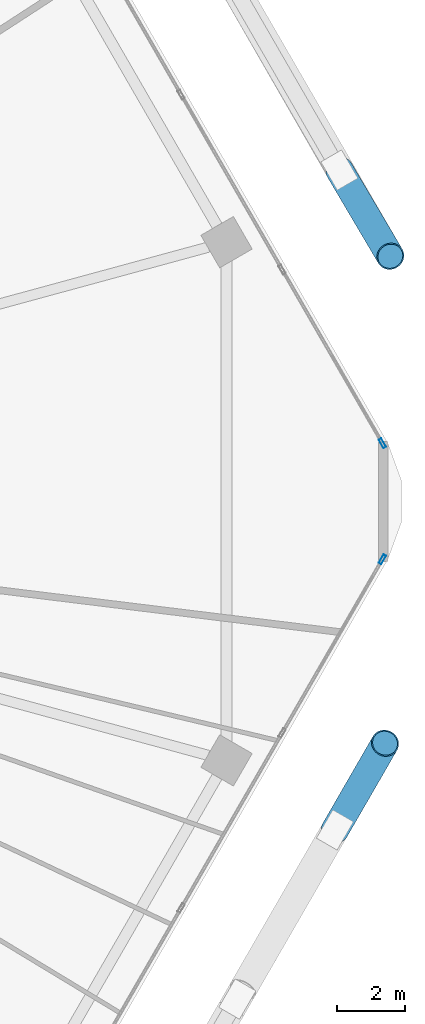
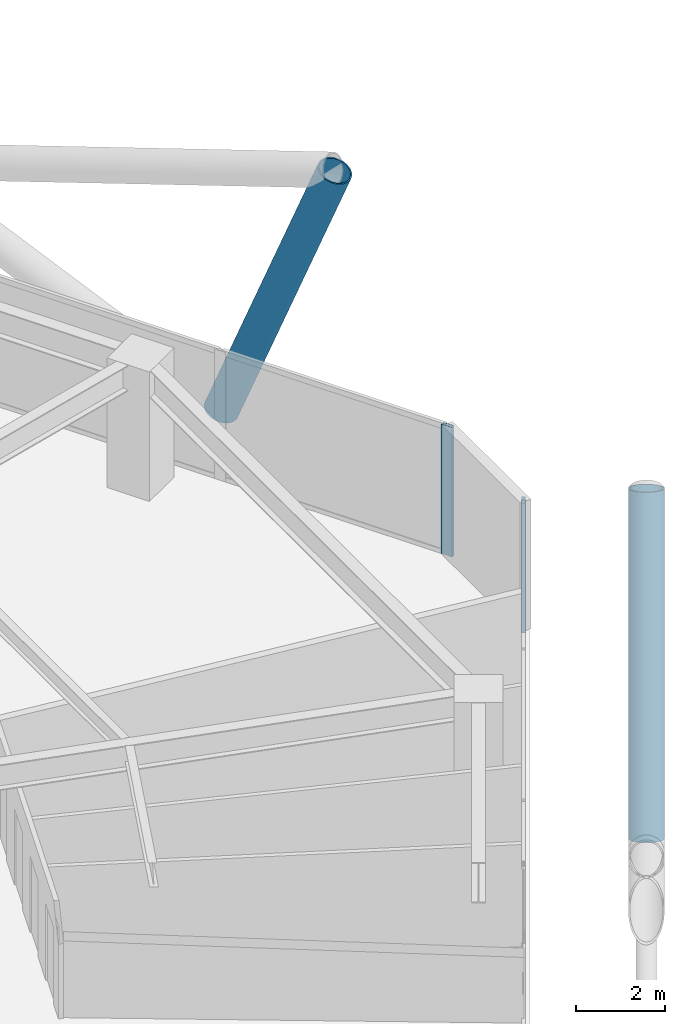
# One storey, part 25 of 35: 4 members, 2 elements without a shape of their own.
"""IFC4 building model written with IfcOpenShell, lengths in metres."""

from ifc_helpers import new_model, si_unit, direction, frame, origin, origin_2d, place, context, subcontext, project, spatial, hollow_rectangle, hollow_circle, extrude, material, material_profile, profile_set, type_object, element, aggregate, save


model = new_model("IFC4")

# Units and contexts
model_context = context("Model", 3, precision=1e-05, world=origin(), true_north=direction((0.0, 1.0)))
body_context = subcontext(model_context, "Body", "Model", "MODEL_VIEW")
ifc_project = project(units=[si_unit("LENGTHUNIT", "METRE"), si_unit("AREAUNIT", "SQUARE_METRE"), si_unit("VOLUMEUNIT", "CUBIC_METRE"), si_unit("PLANEANGLEUNIT", "RADIAN"), si_unit("MASSUNIT", "GRAM", prefix="KILO")], contexts=[model_context])

# Site, building, storey
site_placement = place(None, origin())
site = spatial("IfcSite", under=ifc_project, at=site_placement, CompositionType="ELEMENT")
building_placement = place(site_placement, origin())
building = spatial("IfcBuilding", under=site, at=building_placement, Name="Zuhravey Tower", CompositionType="ELEMENT")
storey_placement = place(building_placement, frame((0.0, 0.0, 115.199951171875)))
storey = spatial("IfcBuildingStorey", under=building, at=storey_placement, Name="L28", CompositionType="ELEMENT", Elevation=115.199951171875)

# Curtain wall, member
ifc_material_1 = material(Name="Thermally broken anodised aluminium", Category="aluminium")
curtain_wall_type = type_object("IfcCurtainWallType", Name="Zone 1-2 Residential Curtain Wall CW3", PredefinedType="NOTDEFINED", material=ifc_material_1)
curtain_wall_1_placement = place(storey_placement, origin())
curtain_wall_1 = element("IfcCurtainWall", 1, at=curtain_wall_1_placement, inside=storey, type_object=curtain_wall_type, Name="L28 CW3 CW-L28-F6-1", PredefinedType="NOTDEFINED")
ifc_material_2 = material(Name="Anodised aluminium", Category="aluminium")
ifc_material_profile_1 = material_profile(ifc_material_2, hollow_rectangle(XDim=0.090087890625, YDim=0.284912109375, WallThickness=0.0048828125, at=origin_2d()), Name="ALU-RHS-90x285x5")
ifc_profile_set_1 = profile_set([ifc_material_profile_1], Name="Anodised aluminium")
member_type_1 = type_object("IfcMemberType", Name="Curtain-Wall Mullion 90x180", PredefinedType="MULLION", material=ifc_profile_set_1)
member_1_placement = place(storey_placement, frame((68.4560546875, 30.298583984375, 0.0), z_axis=(0.0, 0.0, 1.0), x_axis=(0.86602552265, -0.499999794119, 0.0)))
member_1 = element("IfcMember", 2, at=member_1_placement, type_object=member_type_1, Name="CW3 mullion 1", PredefinedType="MULLION", context=body_context, shape_type="SweptSolid", body=[
    extrude(hollow_rectangle(XDim=0.090087890625, YDim=0.284912109375, WallThickness=0.0048828125, at=origin_2d()), origin(), (0.0, 0.0, 1.0), 3.550048828125),
])
aggregate(curtain_wall_1, [member_1])

curtain_wall_2_placement = place(storey_placement, origin())
curtain_wall_2 = element("IfcCurtainWall", 3, at=curtain_wall_2_placement, inside=storey, type_object=curtain_wall_type, Name="L28 CW3 CW-L28-F1-1", PredefinedType="NOTDEFINED")
member_2_placement = place(storey_placement, frame((68.4560546875, 33.701416015625, 0.0), z_axis=(0.0, 0.0, 1.0), x_axis=(0.86602552265, 0.499999794119, 0.0)))
member_2 = element("IfcMember", 4, at=member_2_placement, type_object=member_type_1, Name="CW3 mullion 6", PredefinedType="MULLION", context=body_context, shape_type="SweptSolid", body=[
    extrude(hollow_rectangle(XDim=0.090087890625, YDim=0.284912109375, WallThickness=0.0048828125, at=origin_2d()), origin(), (0.0, 0.0, 1.0), 3.550048828125),
])
aggregate(curtain_wall_2, [member_2])

# Members
ifc_material_3 = material(Name="Steel SM460", Category="steel")
ifc_material_profile_2 = material_profile(ifc_material_3, hollow_circle(Radius=0.406494140625, WallThickness=0.035888671875, at=origin_2d()), Name="CHS-812.8x36")
ifc_profile_set_2 = profile_set([ifc_material_profile_2], Name="Steel SM460")
member_type_2 = type_object("IfcMemberType", Name="Exoskeleton Zone 1 Diagrid CHS813x36", PredefinedType="BRACE", material=ifc_profile_set_2)
for number, where, z_axis, x_axis, name in (
    (5, (67.2001953125, 41.69677734375, -0.44189453125), (0.183737442599, -0.31088929694, 0.932517236964), (0.860889982927, 0.508791152926, 0.0), "L28 Face 1 Diagrid Brace 1"),
    (6, (67.070068359375, 22.378173828125, -0.44189453125), (0.180574288521, 0.312728273078, 0.932520216158), (-0.866000778371, 0.500042650041, 0.0), "L28 Face 6 Diagrid Brace 4"),
):
    element("IfcMember", number, at=place(storey_placement, frame(where, z_axis=z_axis, x_axis=x_axis)), inside=storey, type_object=member_type_2, Name=name, PredefinedType="BRACE", context=body_context, shape_type="SweptSolid", body=[
        extrude(hollow_circle(Radius=0.406494140625, WallThickness=0.035888671875, at=origin_2d()), origin(), (0.0, 0.0, 1.0), 8.102783203125),
    ])

save(model, "model.ifc")
